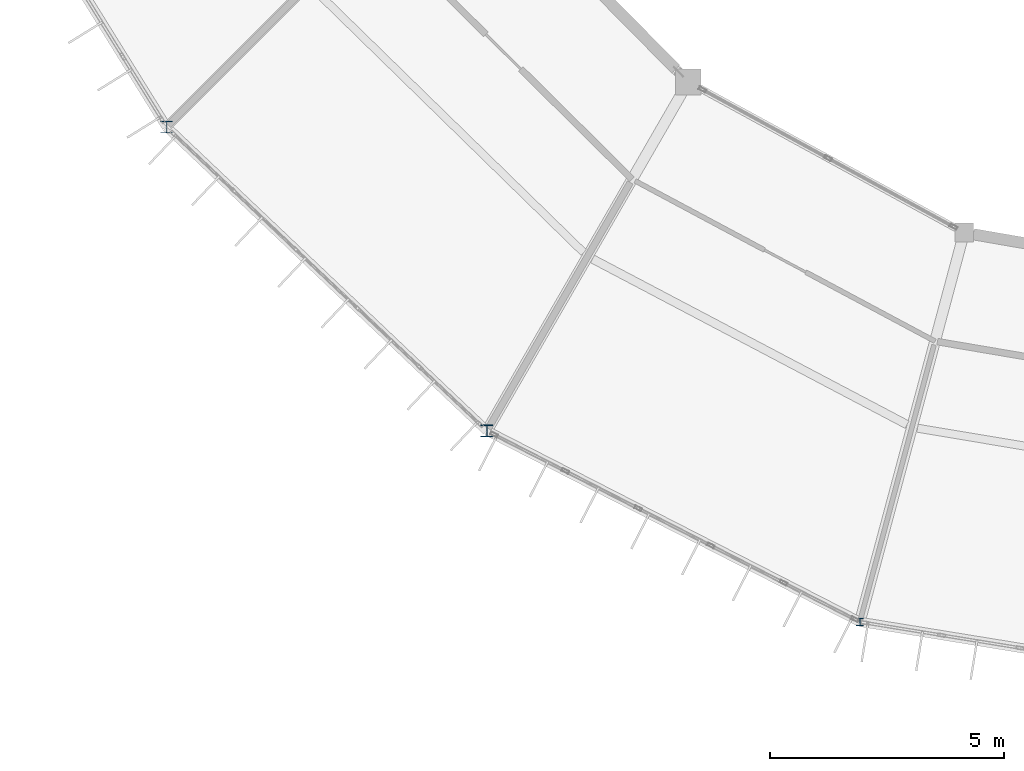
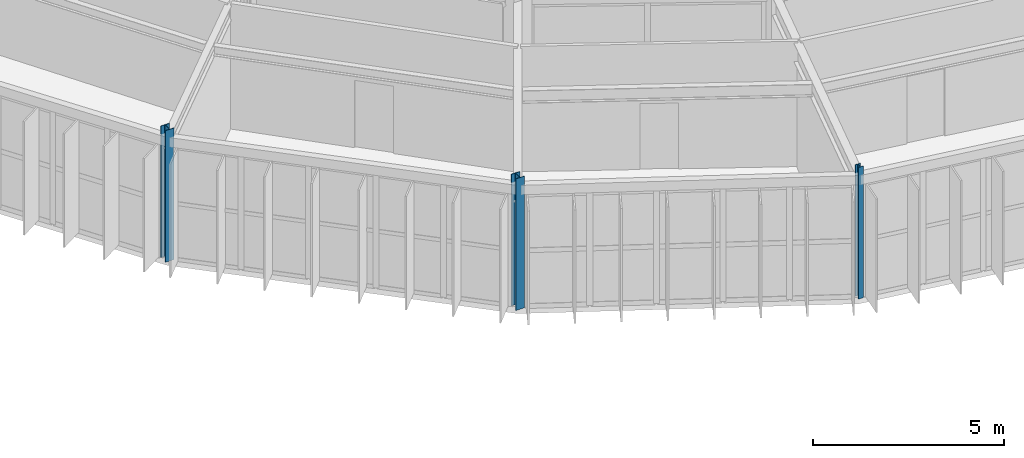
# One storey, part 2 of 130: 3 columns.
"""IFC4 building model written with IfcOpenShell, lengths in metres."""

from ifc_helpers import new_model, si_unit, direction, frame, origin, origin_2d, place, context, subcontext, project, spatial, i_section, extrude, material, material_profile, profile_set, type_object, element, save


model = new_model("IFC4")

# Units and contexts
model_context = context("Model", 3, precision=1e-05, world=origin(), true_north=direction((0.0, 1.0)))
body_context = subcontext(model_context, "Body", "Model", "MODEL_VIEW")
ifc_project = project(units=[si_unit("LENGTHUNIT", "METRE"), si_unit("AREAUNIT", "SQUARE_METRE"), si_unit("VOLUMEUNIT", "CUBIC_METRE"), si_unit("PLANEANGLEUNIT", "RADIAN"), si_unit("MASSUNIT", "GRAM", prefix="KILO")], contexts=[model_context])

# Site, building, storey
site_placement = place(None, origin())
site = spatial("IfcSite", under=ifc_project, at=site_placement, CompositionType="ELEMENT")
building_placement = place(site_placement, origin())
building = spatial("IfcBuilding", under=site, at=building_placement, Name="Karori Crest Natural Sciences Institute", CompositionType="ELEMENT")
storey_placement = place(building_placement, frame((0.0, 0.0, 17.5)))
storey = spatial("IfcBuildingStorey", under=building, at=storey_placement, Name="L04", CompositionType="ELEMENT", Elevation=17.5)

# Columns
ifc_material = material(Name="Structural steel AS/NZS 3679.1 Grade 350", Category="steel")
ifc_material_profile_1 = material_profile(ifc_material, i_section(OverallWidth=0.256103515625, OverallDepth=0.260009765625, WebThickness=0.010498046875, FlangeThickness=0.017333984375, FilletRadius=0.013916015625, at=origin_2d()), Name="250UC89.5")
ifc_profile_set_1 = profile_set([ifc_material_profile_1], Name="Structural steel AS/NZS 3679.1 Grade 350")
column_type_1 = type_object("IfcColumnType", Name="CT-06", PredefinedType="COLUMN", material=ifc_profile_set_1)
column_1_placement = place(storey_placement, frame((43.0654296875, 21.050048828125, 0.0), z_axis=(0.0, 0.0, 1.0), x_axis=(1.0, 0.0, 0.0)))
element("IfcColumn", 1, at=column_1_placement, inside=storey, type_object=column_type_1, Name="Column C-0261", PredefinedType="COLUMN", context=body_context, shape_type="SweptSolid", body=[
    extrude(i_section(OverallWidth=0.256103515625, OverallDepth=0.260009765625, WebThickness=0.010498046875, FlangeThickness=0.017333984375, FilletRadius=0.013916015625, at=origin_2d()), origin(), (0.0, 0.0, 1.0), 4.199951171875),
])
ifc_material_profile_2 = material_profile(ifc_material, i_section(OverallWidth=0.25390625, OverallDepth=0.25390625, WebThickness=0.008544921875, FlangeThickness=0.01416015625, FilletRadius=0.013916015625, at=origin_2d()), Name="250UC72.9")
ifc_profile_set_2 = profile_set([ifc_material_profile_2], Name="Structural steel AS/NZS 3679.1 Grade 350")
column_type_2 = type_object("IfcColumnType", Name="CT-07", PredefinedType="COLUMN", material=ifc_profile_set_2)
column_2_placement = place(storey_placement, frame((49.89990234375, 14.566162109375, 0.0), z_axis=(0.0, 0.0, 1.0), x_axis=(1.0, 0.0, 0.0)))
element("IfcColumn", 2, at=column_2_placement, inside=storey, type_object=column_type_2, Name="Column C-0275", PredefinedType="COLUMN", context=body_context, shape_type="SweptSolid", body=[
    extrude(i_section(OverallWidth=0.25390625, OverallDepth=0.25390625, WebThickness=0.008544921875, FlangeThickness=0.01416015625, FilletRadius=0.013916015625, at=origin_2d()), origin(), (0.0, 0.0, 1.0), 4.199951171875),
])
ifc_material_profile_3 = material_profile(ifc_material, i_section(OverallWidth=0.154052734375, OverallDepth=0.162109375, WebThickness=0.008056640625, FlangeThickness=0.011474609375, FilletRadius=0.009033203125, at=origin_2d()), Name="150UC37.2")
ifc_profile_set_3 = profile_set([ifc_material_profile_3], Name="Structural steel AS/NZS 3679.1 Grade 350")
column_type_3 = type_object("IfcColumnType", Name="CT-26", PredefinedType="COLUMN", material=ifc_profile_set_3)
column_3_placement = place(storey_placement, frame((57.85888671875, 10.490234375, 0.0), z_axis=(0.0, 0.0, 1.0), x_axis=(1.0, 0.0, 0.0)))
element("IfcColumn", 3, at=column_3_placement, inside=storey, type_object=column_type_3, Name="Column C-0291", PredefinedType="COLUMN", context=body_context, shape_type="SweptSolid", body=[
    extrude(i_section(OverallWidth=0.154052734375, OverallDepth=0.162109375, WebThickness=0.008056640625, FlangeThickness=0.011474609375, FilletRadius=0.009033203125, at=origin_2d()), origin(), (0.0, 0.0, 1.0), 4.199951171875),
])

save(model, "model.ifc")
